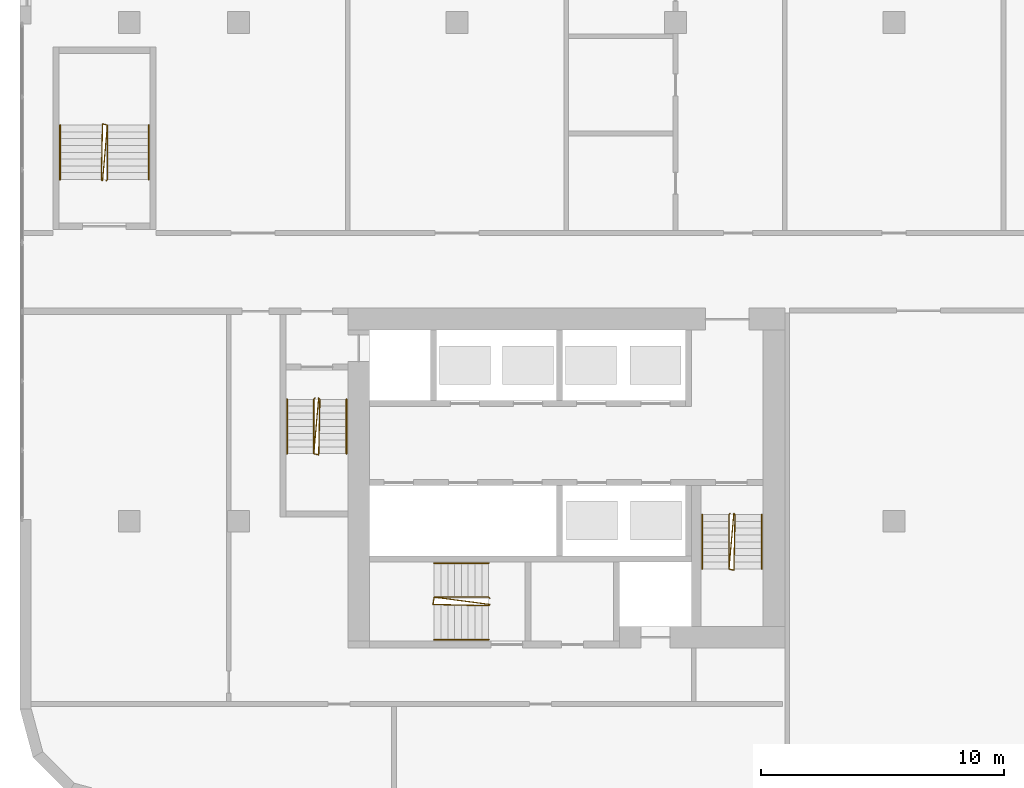
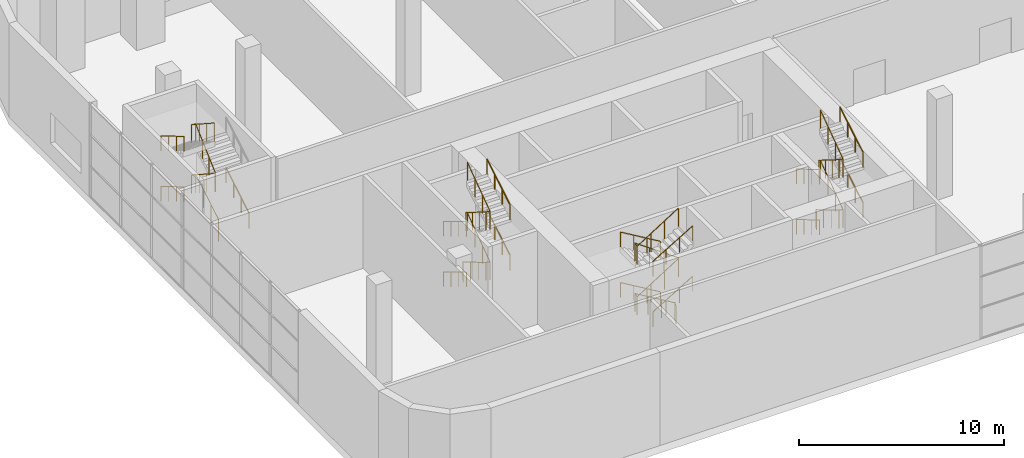
# One storey, part 24 of 27: 19 railings.
"""IFC4 building model written with IfcOpenShell, lengths in metres."""

from ifc_helpers import new_model, si_unit, direction, frame, origin, origin_2d, place, context, subcontext, project, spatial, circle, extrude, material, type_object, element, save


model = new_model("IFC4")

# Units and contexts
model_context = context("Model", 3, precision=1e-05, world=origin(), true_north=direction((0.0, 1.0)))
body_context = subcontext(model_context, "Body", "Model", "MODEL_VIEW")
ifc_project = project(units=[si_unit("LENGTHUNIT", "METRE"), si_unit("AREAUNIT", "SQUARE_METRE"), si_unit("VOLUMEUNIT", "CUBIC_METRE"), si_unit("PLANEANGLEUNIT", "RADIAN"), si_unit("MASSUNIT", "GRAM", prefix="KILO")], contexts=[model_context])

# Site, building, storey
site_placement = place(None, origin())
site = spatial("IfcSite", under=ifc_project, at=site_placement, CompositionType="ELEMENT")
building_placement = place(site_placement, origin())
building = spatial("IfcBuilding", under=site, at=building_placement, Name="Kajstack Hotel Tower", CompositionType="ELEMENT")
storey_placement = place(building_placement, frame((0.0, 0.0, 11.0)))
storey = spatial("IfcBuildingStorey", under=building, at=storey_placement, Name="L01", CompositionType="ELEMENT", Elevation=11.0)

# Railings
ifc_material = material(Name="Steel S355J2", Category="steel")
railing_type_1 = type_object("IfcRailingType", Name="Stair guard 1100", PredefinedType="GUARDRAIL", material=ifc_material)
railing_1_placement = place(storey_placement, frame((-32.85009765625, -5.199951171875, 0.0)))
element("IfcRailing", 1, at=railing_1_placement, inside=storey, type_object=railing_type_1, Name="L01 W1 stair guard 1", PredefinedType="GUARDRAIL", context=body_context, shape_type="SweptSolid", body=[
    extrude(circle(Radius=0.02392578125, at=origin_2d()), frame((0.0, 0.0, 1.076171875), z_axis=(-0.275041040955, -0.276389281352, 0.920848191041), x_axis=(0.708833529934, -0.705375805398, 0.0)), (0.0, 0.0, 1.0), 0.18115234375),
    extrude(circle(Radius=0.02392578125, at=origin_2d()), frame((-0.0498046875, -0.050048828125, 1.24267578125), z_axis=(0.0, -0.859305625298, 0.511462454469), x_axis=(1.0, 0.0, 0.0)), (0.0, 0.0, 1.0), 2.606689453125),
    extrude(circle(Radius=0.02392578125, at=origin_2d()), frame((-0.0498046875, -2.2900390625, 2.576171875), z_axis=(0.970072785993, -0.242814311512, 0.0), x_axis=(0.242814311512, 0.970072785993, 0.0)), (0.0, 0.0, 1.0), 0.2060546875),
    extrude(circle(Radius=0.02392578125, at=origin_2d()), frame((0.150146484375, -2.340087890625, 2.576171875), z_axis=(0.01827916782, 0.836383386104, 0.547840034565), x_axis=(-0.999761264773, 0.0218497931, 0.0)), (0.0, 0.0, 1.0), 2.738037109375),
    extrude(circle(Radius=0.02392578125, at=origin_2d()), frame((0.2001953125, -0.050048828125, 4.076171875), z_axis=(-0.707106781187, 0.707106781187, 0.0), x_axis=(-0.707106781187, -0.707106781187, 0.0)), (0.0, 0.0, 1.0), 0.07080078125),
    extrude(circle(Radius=0.02392578125, at=origin_2d()), frame((0.150146484375, 0.0, 4.076171875), z_axis=(-0.072845657923, -0.83430069758, 0.546475851378), x_axis=(0.996209839609, -0.086982500921, 0.0)), (0.0, 0.0, 1.0), 2.744873046875),
    extrude(circle(Radius=0.02392578125, at=origin_2d()), frame((-0.0498046875, -2.2900390625, 5.576171875), z_axis=(0.970072785993, -0.242814311512, 0.0), x_axis=(0.242814311512, 0.970072785993, 0.0)), (0.0, 0.0, 1.0), 0.2060546875),
    extrude(circle(Radius=0.02392578125, at=origin_2d()), frame((0.150146484375, -2.340087890625, 5.576171875), z_axis=(0.01827916782, 0.836383386104, 0.547840034565), x_axis=(-0.999761264773, 0.0218497931, 0.0)), (0.0, 0.0, 1.0), 2.738037109375),
    extrude(circle(Radius=0.02099609375, at=origin_2d()), origin(), (0.0, 0.0, 1.0), 1.052001953125),
    extrude(circle(Radius=0.02099609375, at=origin_2d()), frame((-0.0498046875, -0.050048828125, 0.166748046875)), (0.0, 0.0, 1.0), 1.052001953125),
    extrude(circle(Radius=0.02099609375, at=origin_2d()), frame((-0.0498046875, -0.796630859375, 0.611083984375)), (0.0, 0.0, 1.0), 1.052001953125),
    extrude(circle(Radius=0.02099609375, at=origin_2d()), frame((-0.0498046875, -1.54345703125, 1.0556640625)), (0.0, 0.0, 1.0), 1.052001953125),
    extrude(circle(Radius=0.02099609375, at=origin_2d()), frame((-0.0498046875, -2.2900390625, 1.5)), (0.0, 0.0, 1.0), 1.052001953125),
    extrude(circle(Radius=0.02099609375, at=origin_2d()), frame((0.150146484375, -2.340087890625, 1.5)), (0.0, 0.0, 1.0), 1.052001953125),
    extrude(circle(Radius=0.02099609375, at=origin_2d()), frame((0.166748046875, -1.57666015625, 2.0)), (0.0, 0.0, 1.0), 1.052001953125),
    extrude(circle(Radius=0.02099609375, at=origin_2d()), frame((0.18359375, -0.8134765625, 2.5)), (0.0, 0.0, 1.0), 1.052001953125),
    extrude(circle(Radius=0.02099609375, at=origin_2d()), frame((0.2001953125, -0.050048828125, 3.0)), (0.0, 0.0, 1.0), 1.052001953125),
    extrude(circle(Radius=0.02099609375, at=origin_2d()), frame((0.150146484375, 0.0, 3.0)), (0.0, 0.0, 1.0), 1.052001953125),
    extrude(circle(Radius=0.02099609375, at=origin_2d()), frame((0.08349609375, -0.763427734375, 3.5)), (0.0, 0.0, 1.0), 1.052001953125),
    extrude(circle(Radius=0.02099609375, at=origin_2d()), frame((0.016845703125, -1.526611328125, 4.0)), (0.0, 0.0, 1.0), 1.052001953125),
    extrude(circle(Radius=0.02099609375, at=origin_2d()), frame((-0.0498046875, -2.2900390625, 4.5)), (0.0, 0.0, 1.0), 1.052001953125),
    extrude(circle(Radius=0.02099609375, at=origin_2d()), frame((0.150146484375, -2.340087890625, 4.5)), (0.0, 0.0, 1.0), 1.052001953125),
    extrude(circle(Radius=0.02099609375, at=origin_2d()), frame((0.166748046875, -1.57666015625, 5.0)), (0.0, 0.0, 1.0), 1.052001953125),
    extrude(circle(Radius=0.02099609375, at=origin_2d()), frame((0.18359375, -0.8134765625, 5.5)), (0.0, 0.0, 1.0), 1.052001953125),
    extrude(circle(Radius=0.02099609375, at=origin_2d()), frame((0.2001953125, -0.050048828125, 6.0)), (0.0, 0.0, 1.0), 1.052001953125),
])
railing_2_placement = place(storey_placement, frame((-15.75, -9.949951171875, 0.0)))
element("IfcRailing", 2, at=railing_2_placement, inside=storey, type_object=railing_type_1, Name="L01 W2 stair guard 1", PredefinedType="GUARDRAIL", context=body_context, shape_type="SweptSolid", body=[
    extrude(circle(Radius=0.02392578125, at=origin_2d()), frame((0.0, 0.0, 1.076171875), z_axis=(-0.27628659633, -0.27628659633, 0.920506074601), x_axis=(0.707106781187, -0.707106781187, 0.0)), (0.0, 0.0, 1.0), 0.18115234375),
    extrude(circle(Radius=0.02392578125, at=origin_2d()), frame((-0.050048828125, -0.050048828125, 1.24267578125), z_axis=(0.0, -0.859305625298, 0.511462454469), x_axis=(1.0, 0.0, 0.0)), (0.0, 0.0, 1.0), 2.606689453125),
    extrude(circle(Radius=0.02392578125, at=origin_2d()), frame((-0.050048828125, -2.2900390625, 2.576171875), z_axis=(0.970072785993, -0.242814311512, 0.0), x_axis=(0.242814311512, 0.970072785993, 0.0)), (0.0, 0.0, 1.0), 0.2060546875),
    extrude(circle(Radius=0.02392578125, at=origin_2d()), frame((0.14990234375, -2.340087890625, 2.576171875), z_axis=(0.01827916782, 0.836383386104, 0.547840034565), x_axis=(-0.999761264773, 0.0218497931, 0.0)), (0.0, 0.0, 1.0), 2.738037109375),
    extrude(circle(Radius=0.02392578125, at=origin_2d()), frame((0.199951171875, -0.050048828125, 4.076171875), z_axis=(-0.707106781187, 0.707106781187, 0.0), x_axis=(-0.707106781187, -0.707106781187, 0.0)), (0.0, 0.0, 1.0), 0.07080078125),
    extrude(circle(Radius=0.02392578125, at=origin_2d()), frame((0.14990234375, 0.0, 4.076171875), z_axis=(-0.072845657923, -0.83430069758, 0.546475851378), x_axis=(0.996209839609, -0.086982500921, 0.0)), (0.0, 0.0, 1.0), 2.744873046875),
    extrude(circle(Radius=0.02392578125, at=origin_2d()), frame((-0.050048828125, -2.2900390625, 5.576171875), z_axis=(0.970072785993, -0.242814311512, 0.0), x_axis=(0.242814311512, 0.970072785993, 0.0)), (0.0, 0.0, 1.0), 0.2060546875),
    extrude(circle(Radius=0.02392578125, at=origin_2d()), frame((0.14990234375, -2.340087890625, 5.576171875), z_axis=(0.01827916782, 0.836383386104, 0.547840034565), x_axis=(-0.999761264773, 0.0218497931, 0.0)), (0.0, 0.0, 1.0), 2.738037109375),
    extrude(circle(Radius=0.02099609375, at=origin_2d()), origin(), (0.0, 0.0, 1.0), 1.052001953125),
    extrude(circle(Radius=0.02099609375, at=origin_2d()), frame((-0.050048828125, -0.050048828125, 0.166748046875)), (0.0, 0.0, 1.0), 1.052001953125),
    extrude(circle(Radius=0.02099609375, at=origin_2d()), frame((-0.050048828125, -0.796630859375, 0.611083984375)), (0.0, 0.0, 1.0), 1.052001953125),
    extrude(circle(Radius=0.02099609375, at=origin_2d()), frame((-0.050048828125, -1.54345703125, 1.0556640625)), (0.0, 0.0, 1.0), 1.052001953125),
    extrude(circle(Radius=0.02099609375, at=origin_2d()), frame((-0.050048828125, -2.2900390625, 1.5)), (0.0, 0.0, 1.0), 1.052001953125),
    extrude(circle(Radius=0.02099609375, at=origin_2d()), frame((0.14990234375, -2.340087890625, 1.5)), (0.0, 0.0, 1.0), 1.052001953125),
    extrude(circle(Radius=0.02099609375, at=origin_2d()), frame((0.16650390625, -1.57666015625, 2.0)), (0.0, 0.0, 1.0), 1.052001953125),
    extrude(circle(Radius=0.02099609375, at=origin_2d()), frame((0.183349609375, -0.8134765625, 2.5)), (0.0, 0.0, 1.0), 1.052001953125),
    extrude(circle(Radius=0.02099609375, at=origin_2d()), frame((0.199951171875, -0.050048828125, 3.0)), (0.0, 0.0, 1.0), 1.052001953125),
    extrude(circle(Radius=0.02099609375, at=origin_2d()), frame((0.14990234375, 0.0, 3.0)), (0.0, 0.0, 1.0), 1.052001953125),
    extrude(circle(Radius=0.02099609375, at=origin_2d()), frame((0.083251953125, -0.763427734375, 3.5)), (0.0, 0.0, 1.0), 1.052001953125),
    extrude(circle(Radius=0.02099609375, at=origin_2d()), frame((0.0166015625, -1.526611328125, 4.0)), (0.0, 0.0, 1.0), 1.052001953125),
    extrude(circle(Radius=0.02099609375, at=origin_2d()), frame((-0.050048828125, -2.2900390625, 4.5)), (0.0, 0.0, 1.0), 1.052001953125),
    extrude(circle(Radius=0.02099609375, at=origin_2d()), frame((0.14990234375, -2.340087890625, 4.5)), (0.0, 0.0, 1.0), 1.052001953125),
    extrude(circle(Radius=0.02099609375, at=origin_2d()), frame((0.16650390625, -1.57666015625, 5.0)), (0.0, 0.0, 1.0), 1.052001953125),
    extrude(circle(Radius=0.02099609375, at=origin_2d()), frame((0.183349609375, -0.8134765625, 5.5)), (0.0, 0.0, 1.0), 1.052001953125),
    extrude(circle(Radius=0.02099609375, at=origin_2d()), frame((0.199951171875, -0.050048828125, 6.0)), (0.0, 0.0, 1.0), 1.052001953125),
])
railing_3_placement = place(storey_placement, frame((-25.64990234375, -13.449951171875, 0.0)))
element("IfcRailing", 3, at=railing_3_placement, inside=storey, type_object=railing_type_1, Name="L01 W3 stair guard 1", PredefinedType="GUARDRAIL", context=body_context, shape_type="SweptSolid", body=[
    extrude(circle(Radius=0.02392578125, at=origin_2d()), frame((0.0, 0.0, 1.076171875), z_axis=(-0.27628659633, 0.27628659633, 0.920506074601), x_axis=(-0.707106781187, -0.707106781187, 0.0)), (0.0, 0.0, 1.0), 0.18115234375),
    extrude(circle(Radius=0.02392578125, at=origin_2d()), frame((-0.050048828125, 0.050048828125, 1.24267578125), z_axis=(-0.859305625298, 0.0, 0.511462454469), x_axis=(0.0, -1.0, 0.0)), (0.0, 0.0, 1.0), 2.606689453125),
    extrude(circle(Radius=0.02392578125, at=origin_2d()), frame((-2.2900390625, 0.050048828125, 2.576171875), z_axis=(-0.164529134168, -0.986372223864, 0.0), x_axis=(0.986372223864, -0.164529134168, 0.0)), (0.0, 0.0, 1.0), 0.30419921875),
    extrude(circle(Radius=0.02392578125, at=origin_2d()), frame((-2.340087890625, -0.25, 2.576171875), z_axis=(0.836383386104, -0.01827916782, 0.547840034565), x_axis=(0.0218497931, 0.999761264773, 0.0)), (0.0, 0.0, 1.0), 2.738037109375),
    extrude(circle(Radius=0.02392578125, at=origin_2d()), frame((-0.050048828125, -0.300048828125, 4.076171875), z_axis=(0.707106781187, 0.707106781187, 0.0), x_axis=(-0.707106781187, 0.707106781187, 0.0)), (0.0, 0.0, 1.0), 0.07080078125),
    extrude(circle(Radius=0.02392578125, at=origin_2d()), frame((0.0, -0.25, 4.076171875), z_axis=(-0.83154336719, 0.108951684251, 0.544669770577), x_axis=(-0.129913080979, -0.991525386155, 0.0)), (0.0, 0.0, 1.0), 2.75390625),
    extrude(circle(Radius=0.02392578125, at=origin_2d()), frame((-2.2900390625, 0.050048828125, 5.576171875), z_axis=(-0.164529134168, -0.986372223864, 0.0), x_axis=(0.986372223864, -0.164529134168, 0.0)), (0.0, 0.0, 1.0), 0.30419921875),
    extrude(circle(Radius=0.02392578125, at=origin_2d()), frame((-2.340087890625, -0.25, 5.576171875), z_axis=(0.836383386104, -0.01827916782, 0.547840034565), x_axis=(0.0218497931, 0.999761264773, 0.0)), (0.0, 0.0, 1.0), 2.738037109375),
    extrude(circle(Radius=0.02099609375, at=origin_2d()), origin(), (0.0, 0.0, 1.0), 1.052001953125),
    extrude(circle(Radius=0.02099609375, at=origin_2d()), frame((-0.050048828125, 0.050048828125, 0.166748046875)), (0.0, 0.0, 1.0), 1.052001953125),
    extrude(circle(Radius=0.02099609375, at=origin_2d()), frame((-0.796630859375, 0.050048828125, 0.611083984375)), (0.0, 0.0, 1.0), 1.052001953125),
    extrude(circle(Radius=0.02099609375, at=origin_2d()), frame((-1.54345703125, 0.050048828125, 1.0556640625)), (0.0, 0.0, 1.0), 1.052001953125),
    extrude(circle(Radius=0.02099609375, at=origin_2d()), frame((-2.2900390625, 0.050048828125, 1.5)), (0.0, 0.0, 1.0), 1.052001953125),
    extrude(circle(Radius=0.02099609375, at=origin_2d()), frame((-2.340087890625, -0.25, 1.5)), (0.0, 0.0, 1.0), 1.052001953125),
    extrude(circle(Radius=0.02099609375, at=origin_2d()), frame((-1.57666015625, -0.2666015625, 2.0)), (0.0, 0.0, 1.0), 1.052001953125),
    extrude(circle(Radius=0.02099609375, at=origin_2d()), frame((-0.8134765625, -0.283447265625, 2.5)), (0.0, 0.0, 1.0), 1.052001953125),
    extrude(circle(Radius=0.02099609375, at=origin_2d()), frame((-0.050048828125, -0.300048828125, 3.0)), (0.0, 0.0, 1.0), 1.052001953125),
    extrude(circle(Radius=0.02099609375, at=origin_2d()), frame((0.0, -0.25, 3.0)), (0.0, 0.0, 1.0), 1.052001953125),
    extrude(circle(Radius=0.02099609375, at=origin_2d()), frame((-0.763427734375, -0.14990234375, 3.5)), (0.0, 0.0, 1.0), 1.052001953125),
    extrude(circle(Radius=0.02099609375, at=origin_2d()), frame((-1.526611328125, -0.050048828125, 4.0)), (0.0, 0.0, 1.0), 1.052001953125),
    extrude(circle(Radius=0.02099609375, at=origin_2d()), frame((-2.2900390625, 0.050048828125, 4.5)), (0.0, 0.0, 1.0), 1.052001953125),
    extrude(circle(Radius=0.02099609375, at=origin_2d()), frame((-2.340087890625, -0.25, 4.5)), (0.0, 0.0, 1.0), 1.052001953125),
    extrude(circle(Radius=0.02099609375, at=origin_2d()), frame((-1.57666015625, -0.2666015625, 5.0)), (0.0, 0.0, 1.0), 1.052001953125),
    extrude(circle(Radius=0.02099609375, at=origin_2d()), frame((-0.8134765625, -0.283447265625, 5.5)), (0.0, 0.0, 1.0), 1.052001953125),
    extrude(circle(Radius=0.02099609375, at=origin_2d()), frame((-0.050048828125, -0.300048828125, 6.0)), (0.0, 0.0, 1.0), 1.052001953125),
])
railing_4_placement = place(storey_placement, frame((-41.449951171875, 3.75, 0.0)))
element("IfcRailing", 4, at=railing_4_placement, inside=storey, type_object=railing_type_1, Name="L01 P1 stair guard 1", PredefinedType="GUARDRAIL", context=body_context, shape_type="SweptSolid", body=[
    extrude(circle(Radius=0.02392578125, at=origin_2d()), frame((0.0, 0.0, 1.076171875), z_axis=(0.27628659633, 0.27628659633, 0.920506074601), x_axis=(-0.707106781187, 0.707106781187, 0.0)), (0.0, 0.0, 1.0), 0.18115234375),
    extrude(circle(Radius=0.02392578125, at=origin_2d()), frame((0.050048828125, 0.050048828125, 1.24267578125), z_axis=(0.0, 0.859305625298, 0.511462454469), x_axis=(-1.0, 0.0, 0.0)), (0.0, 0.0, 1.0), 2.606689453125),
    extrude(circle(Radius=0.02392578125, at=origin_2d()), frame((0.050048828125, 2.2900390625, 2.576171875), z_axis=(-0.970142500145, 0.242535625036, 0.0), x_axis=(-0.242535625036, -0.970142500145, 0.0)), (0.0, 0.0, 1.0), 0.206298828125),
    extrude(circle(Radius=0.02392578125, at=origin_2d()), frame((-0.150146484375, 2.340087890625, 2.576171875), z_axis=(-0.018190030723, -0.836384745998, 0.54784092531), x_axis=(0.999763587393, -0.021743259257, 0.0)), (0.0, 0.0, 1.0), 2.738037109375),
    extrude(circle(Radius=0.02392578125, at=origin_2d()), frame((-0.199951171875, 0.050048828125, 4.076171875), z_axis=(0.705375805398, -0.708833529934, 0.0), x_axis=(0.708833529934, 0.705375805398, 0.0)), (0.0, 0.0, 1.0), 0.070556640625),
    extrude(circle(Radius=0.02392578125, at=origin_2d()), frame((-0.150146484375, 0.0, 4.076171875), z_axis=(0.072934129716, 0.834295288706, 0.546472308508), x_axis=(-0.996200631091, 0.087087901652, 0.0)), (0.0, 0.0, 1.0), 2.744873046875),
    extrude(circle(Radius=0.02392578125, at=origin_2d()), frame((0.050048828125, 2.2900390625, 5.576171875), z_axis=(-0.970142500145, 0.242535625036, 0.0), x_axis=(-0.242535625036, -0.970142500145, 0.0)), (0.0, 0.0, 1.0), 0.206298828125),
    extrude(circle(Radius=0.02392578125, at=origin_2d()), frame((-0.150146484375, 2.340087890625, 5.576171875), z_axis=(-0.018190030723, -0.836384745998, 0.54784092531), x_axis=(0.999763587393, -0.021743259257, 0.0)), (0.0, 0.0, 1.0), 2.738037109375),
    extrude(circle(Radius=0.02099609375, at=origin_2d()), origin(), (0.0, 0.0, 1.0), 1.052001953125),
    extrude(circle(Radius=0.02099609375, at=origin_2d()), frame((0.050048828125, 0.050048828125, 0.166748046875)), (0.0, 0.0, 1.0), 1.052001953125),
    extrude(circle(Radius=0.02099609375, at=origin_2d()), frame((0.050048828125, 0.796630859375, 0.611083984375)), (0.0, 0.0, 1.0), 1.052001953125),
    extrude(circle(Radius=0.02099609375, at=origin_2d()), frame((0.050048828125, 1.54345703125, 1.0556640625)), (0.0, 0.0, 1.0), 1.052001953125),
    extrude(circle(Radius=0.02099609375, at=origin_2d()), frame((0.050048828125, 2.2900390625, 1.5)), (0.0, 0.0, 1.0), 1.052001953125),
    extrude(circle(Radius=0.02099609375, at=origin_2d()), frame((-0.150146484375, 2.340087890625, 1.5)), (0.0, 0.0, 1.0), 1.052001953125),
    extrude(circle(Radius=0.02099609375, at=origin_2d()), frame((-0.166748046875, 1.57666015625, 2.0)), (0.0, 0.0, 1.0), 1.052001953125),
    extrude(circle(Radius=0.02099609375, at=origin_2d()), frame((-0.183349609375, 0.8134765625, 2.5)), (0.0, 0.0, 1.0), 1.052001953125),
    extrude(circle(Radius=0.02099609375, at=origin_2d()), frame((-0.199951171875, 0.050048828125, 3.0)), (0.0, 0.0, 1.0), 1.052001953125),
    extrude(circle(Radius=0.02099609375, at=origin_2d()), frame((-0.150146484375, 0.0, 3.0)), (0.0, 0.0, 1.0), 1.052001953125),
    extrude(circle(Radius=0.02099609375, at=origin_2d()), frame((-0.08349609375, 0.763427734375, 3.5)), (0.0, 0.0, 1.0), 1.052001953125),
    extrude(circle(Radius=0.02099609375, at=origin_2d()), frame((-0.0166015625, 1.526611328125, 4.0)), (0.0, 0.0, 1.0), 1.052001953125),
    extrude(circle(Radius=0.02099609375, at=origin_2d()), frame((0.050048828125, 2.2900390625, 4.5)), (0.0, 0.0, 1.0), 1.052001953125),
    extrude(circle(Radius=0.02099609375, at=origin_2d()), frame((-0.150146484375, 2.340087890625, 4.5)), (0.0, 0.0, 1.0), 1.052001953125),
    extrude(circle(Radius=0.02099609375, at=origin_2d()), frame((-0.166748046875, 1.57666015625, 5.0)), (0.0, 0.0, 1.0), 1.052001953125),
    extrude(circle(Radius=0.02099609375, at=origin_2d()), frame((-0.183349609375, 0.8134765625, 5.5)), (0.0, 0.0, 1.0), 1.052001953125),
    extrude(circle(Radius=0.02099609375, at=origin_2d()), frame((-0.199951171875, 0.050048828125, 6.0)), (0.0, 0.0, 1.0), 1.052001953125),
])
railing_type_2 = type_object("IfcRailingType", Name="Stair handrail 900", PredefinedType="HANDRAIL", material=ifc_material)
railing_5_placement = place(storey_placement, frame((-34.0, -5.25, 0.166748046875)))
element("IfcRailing", 5, at=railing_5_placement, inside=storey, type_object=railing_type_2, Name="L01 W1 stair handrail 1", PredefinedType="HANDRAIL", context=body_context, shape_type="SweptSolid", body=[
    extrude(circle(Radius=0.02392578125, at=origin_2d()), frame((0.0, 0.0, 0.8759765625), z_axis=(0.0, -0.859305625298, 0.511462454469), x_axis=(1.0, 0.0, 0.0)), (0.0, 0.0, 1.0), 2.606689453125),
    extrude(circle(Radius=0.02099609375, at=origin_2d()), origin(), (0.0, 0.0, 1.0), 0.851806640625),
    extrude(circle(Radius=0.02099609375, at=origin_2d()), frame((0.0, -0.74658203125, 0.4443359375)), (0.0, 0.0, 1.0), 0.851806640625),
    extrude(circle(Radius=0.02099609375, at=origin_2d()), frame((0.0, -1.493408203125, 0.888916015625)), (0.0, 0.0, 1.0), 0.851806640625),
    extrude(circle(Radius=0.02099609375, at=origin_2d()), frame((0.0, -2.239990234375, 1.333251953125)), (0.0, 0.0, 1.0), 0.851806640625),
])
railing_6_placement = place(storey_placement, frame((-31.550048828125, -7.489990234375, 1.666748046875)))
element("IfcRailing", 6, at=railing_6_placement, inside=storey, type_object=railing_type_2, Name="L01 W1 stair handrail 2", PredefinedType="HANDRAIL", context=body_context, shape_type="SweptSolid", body=[
    extrude(circle(Radius=0.02392578125, at=origin_2d()), frame((0.0, 0.0, 0.8759765625), z_axis=(0.0, 0.859305625298, 0.511462454469), x_axis=(-1.0, 0.0, 0.0)), (0.0, 0.0, 1.0), 2.606689453125),
    extrude(circle(Radius=0.02099609375, at=origin_2d()), origin(), (0.0, 0.0, 1.0), 0.851806640625),
    extrude(circle(Radius=0.02099609375, at=origin_2d()), frame((0.0, 0.74658203125, 0.4443359375)), (0.0, 0.0, 1.0), 0.851806640625),
    extrude(circle(Radius=0.02099609375, at=origin_2d()), frame((0.0, 1.493408203125, 0.888916015625)), (0.0, 0.0, 1.0), 0.851806640625),
    extrude(circle(Radius=0.02099609375, at=origin_2d()), frame((0.0, 2.239990234375, 1.333251953125)), (0.0, 0.0, 1.0), 0.851806640625),
])
railing_7_placement = place(storey_placement, frame((-34.0, -5.25, 3.166748046875)))
element("IfcRailing", 7, at=railing_7_placement, inside=storey, type_object=railing_type_2, Name="L01 W1 stair handrail 3", PredefinedType="HANDRAIL", context=body_context, shape_type="SweptSolid", body=[
    extrude(circle(Radius=0.02392578125, at=origin_2d()), frame((0.0, 0.0, 0.8759765625), z_axis=(0.0, -0.859305625298, 0.511462454469), x_axis=(1.0, 0.0, 0.0)), (0.0, 0.0, 1.0), 2.606689453125),
    extrude(circle(Radius=0.02099609375, at=origin_2d()), origin(), (0.0, 0.0, 1.0), 0.851806640625),
    extrude(circle(Radius=0.02099609375, at=origin_2d()), frame((0.0, -0.74658203125, 0.4443359375)), (0.0, 0.0, 1.0), 0.851806640625),
    extrude(circle(Radius=0.02099609375, at=origin_2d()), frame((0.0, -1.493408203125, 0.888916015625)), (0.0, 0.0, 1.0), 0.851806640625),
    extrude(circle(Radius=0.02099609375, at=origin_2d()), frame((0.0, -2.239990234375, 1.333251953125)), (0.0, 0.0, 1.0), 0.851806640625),
])
railing_8_placement = place(storey_placement, frame((-31.550048828125, -7.489990234375, 4.666748046875)))
element("IfcRailing", 8, at=railing_8_placement, inside=storey, type_object=railing_type_2, Name="L01 W1 stair handrail 4", PredefinedType="HANDRAIL", context=body_context, shape_type="SweptSolid", body=[
    extrude(circle(Radius=0.02392578125, at=origin_2d()), frame((0.0, 0.0, 0.8759765625), z_axis=(0.0, 0.859305625298, 0.511462454469), x_axis=(-1.0, 0.0, 0.0)), (0.0, 0.0, 1.0), 2.606689453125),
    extrude(circle(Radius=0.02099609375, at=origin_2d()), origin(), (0.0, 0.0, 1.0), 0.851806640625),
    extrude(circle(Radius=0.02099609375, at=origin_2d()), frame((0.0, 0.74658203125, 0.4443359375)), (0.0, 0.0, 1.0), 0.851806640625),
    extrude(circle(Radius=0.02099609375, at=origin_2d()), frame((0.0, 1.493408203125, 0.888916015625)), (0.0, 0.0, 1.0), 0.851806640625),
    extrude(circle(Radius=0.02099609375, at=origin_2d()), frame((0.0, 2.239990234375, 1.333251953125)), (0.0, 0.0, 1.0), 0.851806640625),
])
railing_9_placement = place(storey_placement, frame((-16.89990234375, -10.0, 0.166748046875)))
element("IfcRailing", 9, at=railing_9_placement, inside=storey, type_object=railing_type_2, Name="L01 W2 stair handrail 1", PredefinedType="HANDRAIL", context=body_context, shape_type="SweptSolid", body=[
    extrude(circle(Radius=0.02392578125, at=origin_2d()), frame((0.0, 0.0, 0.8759765625), z_axis=(0.0, -0.859305625298, 0.511462454469), x_axis=(1.0, 0.0, 0.0)), (0.0, 0.0, 1.0), 2.606689453125),
    extrude(circle(Radius=0.02099609375, at=origin_2d()), origin(), (0.0, 0.0, 1.0), 0.851806640625),
    extrude(circle(Radius=0.02099609375, at=origin_2d()), frame((0.0, -0.74658203125, 0.4443359375)), (0.0, 0.0, 1.0), 0.851806640625),
    extrude(circle(Radius=0.02099609375, at=origin_2d()), frame((0.0, -1.493408203125, 0.888916015625)), (0.0, 0.0, 1.0), 0.851806640625),
    extrude(circle(Radius=0.02099609375, at=origin_2d()), frame((0.0, -2.239990234375, 1.333251953125)), (0.0, 0.0, 1.0), 0.851806640625),
])
railing_10_placement = place(storey_placement, frame((-14.449951171875, -12.239990234375, 1.666748046875)))
element("IfcRailing", 10, at=railing_10_placement, inside=storey, type_object=railing_type_2, Name="L01 W2 stair handrail 2", PredefinedType="HANDRAIL", context=body_context, shape_type="SweptSolid", body=[
    extrude(circle(Radius=0.02392578125, at=origin_2d()), frame((0.0, 0.0, 0.8759765625), z_axis=(0.0, 0.859305625298, 0.511462454469), x_axis=(-1.0, 0.0, 0.0)), (0.0, 0.0, 1.0), 2.606689453125),
    extrude(circle(Radius=0.02099609375, at=origin_2d()), origin(), (0.0, 0.0, 1.0), 0.851806640625),
    extrude(circle(Radius=0.02099609375, at=origin_2d()), frame((0.0, 0.74658203125, 0.4443359375)), (0.0, 0.0, 1.0), 0.851806640625),
    extrude(circle(Radius=0.02099609375, at=origin_2d()), frame((0.0, 1.493408203125, 0.888916015625)), (0.0, 0.0, 1.0), 0.851806640625),
    extrude(circle(Radius=0.02099609375, at=origin_2d()), frame((0.0, 2.239990234375, 1.333251953125)), (0.0, 0.0, 1.0), 0.851806640625),
])
railing_11_placement = place(storey_placement, frame((-16.89990234375, -10.0, 3.166748046875)))
element("IfcRailing", 11, at=railing_11_placement, inside=storey, type_object=railing_type_2, Name="L01 W2 stair handrail 3", PredefinedType="HANDRAIL", context=body_context, shape_type="SweptSolid", body=[
    extrude(circle(Radius=0.02392578125, at=origin_2d()), frame((0.0, 0.0, 0.8759765625), z_axis=(0.0, -0.859305625298, 0.511462454469), x_axis=(1.0, 0.0, 0.0)), (0.0, 0.0, 1.0), 2.606689453125),
    extrude(circle(Radius=0.02099609375, at=origin_2d()), origin(), (0.0, 0.0, 1.0), 0.851806640625),
    extrude(circle(Radius=0.02099609375, at=origin_2d()), frame((0.0, -0.74658203125, 0.4443359375)), (0.0, 0.0, 1.0), 0.851806640625),
    extrude(circle(Radius=0.02099609375, at=origin_2d()), frame((0.0, -1.493408203125, 0.888916015625)), (0.0, 0.0, 1.0), 0.851806640625),
    extrude(circle(Radius=0.02099609375, at=origin_2d()), frame((0.0, -2.239990234375, 1.333251953125)), (0.0, 0.0, 1.0), 0.851806640625),
])
railing_12_placement = place(storey_placement, frame((-14.449951171875, -12.239990234375, 4.666748046875)))
element("IfcRailing", 12, at=railing_12_placement, inside=storey, type_object=railing_type_2, Name="L01 W2 stair handrail 4", PredefinedType="HANDRAIL", context=body_context, shape_type="SweptSolid", body=[
    extrude(circle(Radius=0.02392578125, at=origin_2d()), frame((0.0, 0.0, 0.8759765625), z_axis=(0.0, 0.859305625298, 0.511462454469), x_axis=(-1.0, 0.0, 0.0)), (0.0, 0.0, 1.0), 2.606689453125),
    extrude(circle(Radius=0.02099609375, at=origin_2d()), origin(), (0.0, 0.0, 1.0), 0.851806640625),
    extrude(circle(Radius=0.02099609375, at=origin_2d()), frame((0.0, 0.74658203125, 0.4443359375)), (0.0, 0.0, 1.0), 0.851806640625),
    extrude(circle(Radius=0.02099609375, at=origin_2d()), frame((0.0, 1.493408203125, 0.888916015625)), (0.0, 0.0, 1.0), 0.851806640625),
    extrude(circle(Radius=0.02099609375, at=origin_2d()), frame((0.0, 2.239990234375, 1.333251953125)), (0.0, 0.0, 1.0), 0.851806640625),
])
railing_13_placement = place(storey_placement, frame((-25.699951171875, -12.0, 0.166748046875)))
element("IfcRailing", 13, at=railing_13_placement, inside=storey, type_object=railing_type_2, Name="L01 W3 stair handrail 1", PredefinedType="HANDRAIL", context=body_context, shape_type="SweptSolid", body=[
    extrude(circle(Radius=0.02392578125, at=origin_2d()), frame((0.0, 0.0, 0.8759765625), z_axis=(-0.859305625298, 0.0, 0.511462454469), x_axis=(0.0, -1.0, 0.0)), (0.0, 0.0, 1.0), 2.606689453125),
    extrude(circle(Radius=0.02099609375, at=origin_2d()), origin(), (0.0, 0.0, 1.0), 0.851806640625),
    extrude(circle(Radius=0.02099609375, at=origin_2d()), frame((-0.74658203125, 0.0, 0.4443359375)), (0.0, 0.0, 1.0), 0.851806640625),
    extrude(circle(Radius=0.02099609375, at=origin_2d()), frame((-1.493408203125, 0.0, 0.888916015625)), (0.0, 0.0, 1.0), 0.851806640625),
    extrude(circle(Radius=0.02099609375, at=origin_2d()), frame((-2.239990234375, 0.0, 1.333251953125)), (0.0, 0.0, 1.0), 0.851806640625),
])
railing_14_placement = place(storey_placement, frame((-27.93994140625, -15.14990234375, 1.666748046875)))
element("IfcRailing", 14, at=railing_14_placement, inside=storey, type_object=railing_type_2, Name="L01 W3 stair handrail 2", PredefinedType="HANDRAIL", context=body_context, shape_type="SweptSolid", body=[
    extrude(circle(Radius=0.02392578125, at=origin_2d()), frame((0.0, 0.0, 0.8759765625), z_axis=(0.859305625298, 0.0, 0.511462454469), x_axis=(0.0, 1.0, 0.0)), (0.0, 0.0, 1.0), 2.606689453125),
    extrude(circle(Radius=0.02099609375, at=origin_2d()), origin(), (0.0, 0.0, 1.0), 0.851806640625),
    extrude(circle(Radius=0.02099609375, at=origin_2d()), frame((0.74658203125, 0.0, 0.4443359375)), (0.0, 0.0, 1.0), 0.851806640625),
    extrude(circle(Radius=0.02099609375, at=origin_2d()), frame((1.493408203125, 0.0, 0.888916015625)), (0.0, 0.0, 1.0), 0.851806640625),
    extrude(circle(Radius=0.02099609375, at=origin_2d()), frame((2.239990234375, 0.0, 1.333251953125)), (0.0, 0.0, 1.0), 0.851806640625),
])
railing_15_placement = place(storey_placement, frame((-25.699951171875, -12.0, 3.166748046875)))
element("IfcRailing", 15, at=railing_15_placement, inside=storey, type_object=railing_type_2, Name="L01 W3 stair handrail 3", PredefinedType="HANDRAIL", context=body_context, shape_type="SweptSolid", body=[
    extrude(circle(Radius=0.02392578125, at=origin_2d()), frame((0.0, 0.0, 0.8759765625), z_axis=(-0.859305625298, 0.0, 0.511462454469), x_axis=(0.0, -1.0, 0.0)), (0.0, 0.0, 1.0), 2.606689453125),
    extrude(circle(Radius=0.02099609375, at=origin_2d()), origin(), (0.0, 0.0, 1.0), 0.851806640625),
    extrude(circle(Radius=0.02099609375, at=origin_2d()), frame((-0.74658203125, 0.0, 0.4443359375)), (0.0, 0.0, 1.0), 0.851806640625),
    extrude(circle(Radius=0.02099609375, at=origin_2d()), frame((-1.493408203125, 0.0, 0.888916015625)), (0.0, 0.0, 1.0), 0.851806640625),
    extrude(circle(Radius=0.02099609375, at=origin_2d()), frame((-2.239990234375, 0.0, 1.333251953125)), (0.0, 0.0, 1.0), 0.851806640625),
])
railing_16_placement = place(storey_placement, frame((-27.93994140625, -15.14990234375, 4.666748046875)))
element("IfcRailing", 16, at=railing_16_placement, inside=storey, type_object=railing_type_2, Name="L01 W3 stair handrail 4", PredefinedType="HANDRAIL", context=body_context, shape_type="SweptSolid", body=[
    extrude(circle(Radius=0.02392578125, at=origin_2d()), frame((0.0, 0.0, 0.8759765625), z_axis=(0.859305625298, 0.0, 0.511462454469), x_axis=(0.0, 1.0, 0.0)), (0.0, 0.0, 1.0), 2.606689453125),
    extrude(circle(Radius=0.02099609375, at=origin_2d()), origin(), (0.0, 0.0, 1.0), 0.851806640625),
    extrude(circle(Radius=0.02099609375, at=origin_2d()), frame((0.74658203125, 0.0, 0.4443359375)), (0.0, 0.0, 1.0), 0.851806640625),
    extrude(circle(Radius=0.02099609375, at=origin_2d()), frame((1.493408203125, 0.0, 0.888916015625)), (0.0, 0.0, 1.0), 0.851806640625),
    extrude(circle(Radius=0.02099609375, at=origin_2d()), frame((2.239990234375, 0.0, 1.333251953125)), (0.0, 0.0, 1.0), 0.851806640625),
])
railing_17_placement = place(storey_placement, frame((-39.699951171875, 3.800048828125, 0.166748046875)))
element("IfcRailing", 17, at=railing_17_placement, inside=storey, type_object=railing_type_2, Name="L01 P1 stair handrail 1", PredefinedType="HANDRAIL", context=body_context, shape_type="SweptSolid", body=[
    extrude(circle(Radius=0.02392578125, at=origin_2d()), frame((0.0, 0.0, 0.8759765625), z_axis=(0.0, 0.859305625298, 0.511462454469), x_axis=(-1.0, 0.0, 0.0)), (0.0, 0.0, 1.0), 2.606689453125),
    extrude(circle(Radius=0.02099609375, at=origin_2d()), origin(), (0.0, 0.0, 1.0), 0.851806640625),
    extrude(circle(Radius=0.02099609375, at=origin_2d()), frame((0.0, 0.74658203125, 0.4443359375)), (0.0, 0.0, 1.0), 0.851806640625),
    extrude(circle(Radius=0.02099609375, at=origin_2d()), frame((0.0, 1.493408203125, 0.888916015625)), (0.0, 0.0, 1.0), 0.851806640625),
    extrude(circle(Radius=0.02099609375, at=origin_2d()), frame((0.0, 2.239990234375, 1.333251953125)), (0.0, 0.0, 1.0), 0.851806640625),
])
for number, where, name in (
    (18, (-43.35009765625, 6.0400390625, 1.666748046875), "L01 P1 stair handrail 2"),
    (19, (-43.35009765625, 6.0400390625, 4.666748046875), "L01 P1 stair handrail 4"),
):
    element("IfcRailing", number, at=place(storey_placement, frame(where)), inside=storey, type_object=railing_type_2, Name=name, PredefinedType="HANDRAIL", context=body_context, shape_type="SweptSolid", body=[
        extrude(circle(Radius=0.02392578125, at=origin_2d()), frame((0.0, 0.0, 0.8759765625), z_axis=(0.0, -0.859305625298, 0.511462454469), x_axis=(1.0, 0.0, 0.0)), (0.0, 0.0, 1.0), 2.606689453125),
        extrude(circle(Radius=0.02099609375, at=origin_2d()), origin(), (0.0, 0.0, 1.0), 0.851806640625),
        extrude(circle(Radius=0.02099609375, at=origin_2d()), frame((0.0, -0.74658203125, 0.4443359375)), (0.0, 0.0, 1.0), 0.851806640625),
        extrude(circle(Radius=0.02099609375, at=origin_2d()), frame((0.0, -1.493408203125, 0.888916015625)), (0.0, 0.0, 1.0), 0.851806640625),
        extrude(circle(Radius=0.02099609375, at=origin_2d()), frame((0.0, -2.239990234375, 1.333251953125)), (0.0, 0.0, 1.0), 0.851806640625),
    ])

save(model, "model.ifc")
